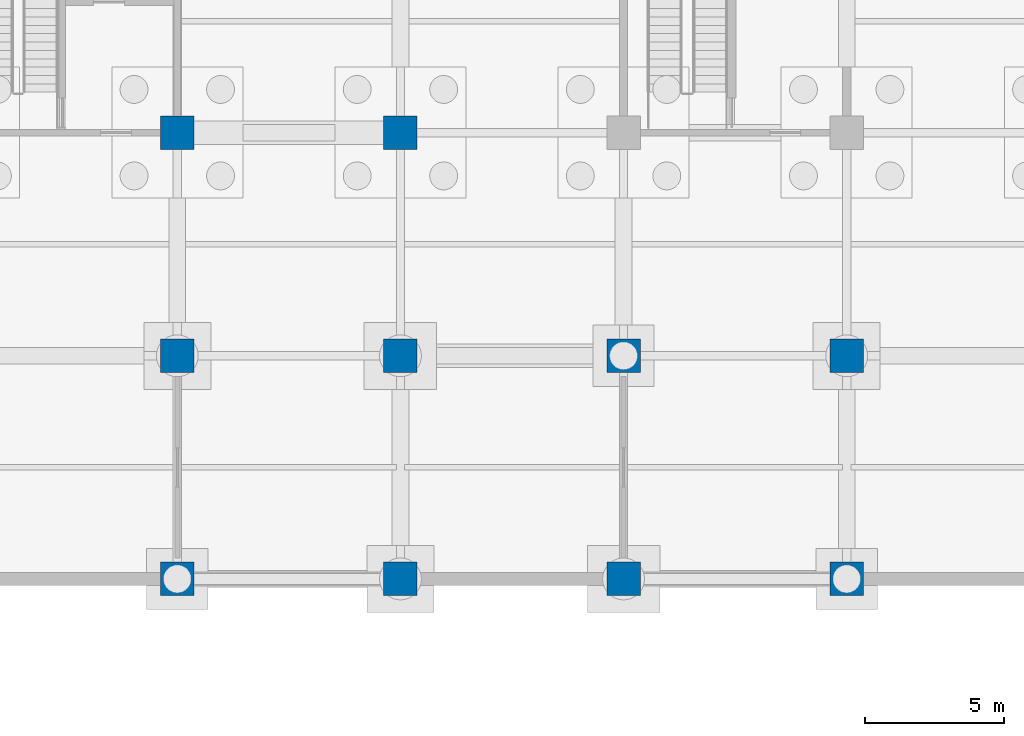
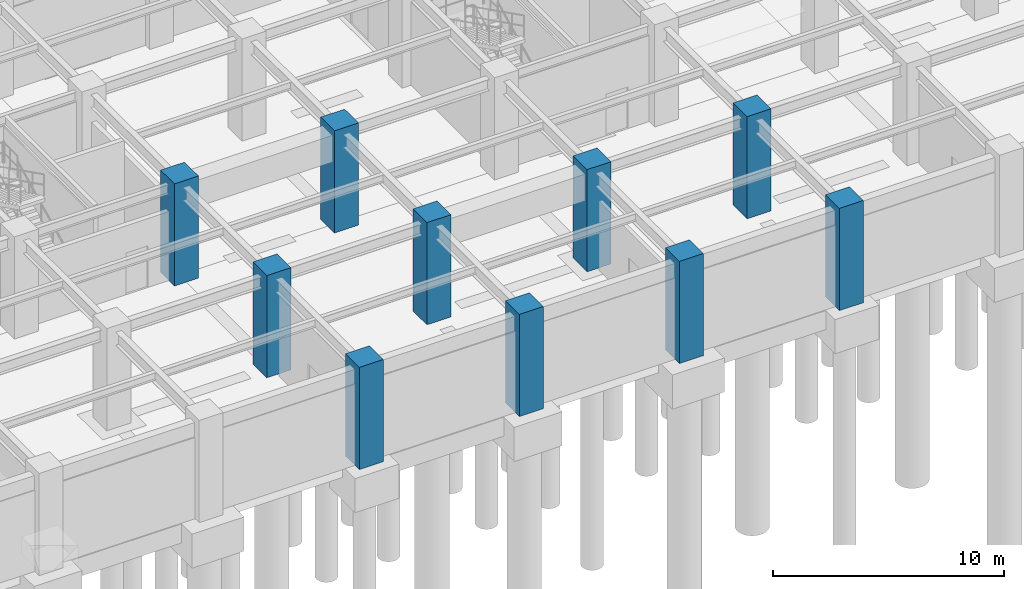
# One storey, part 25 of 97: 10 columns.
"""IFC4 building model written with IfcOpenShell, lengths in metres."""

from ifc_helpers import new_model, si_unit, direction, frame, origin, origin_2d, place, context, subcontext, project, spatial, rectangle, extrude, material, material_profile, profile_set, type_object, element, save


model = new_model("IFC4")

# Units and contexts
model_context = context("Model", 3, precision=1e-05, world=origin(), true_north=direction((0.0, 1.0)))
body_context = subcontext(model_context, "Body", "Model", "MODEL_VIEW")
ifc_project = project(units=[si_unit("LENGTHUNIT", "METRE"), si_unit("AREAUNIT", "SQUARE_METRE"), si_unit("VOLUMEUNIT", "CUBIC_METRE"), si_unit("PLANEANGLEUNIT", "RADIAN"), si_unit("MASSUNIT", "GRAM", prefix="KILO")], contexts=[model_context])

# Site, building, storey
site_placement = place(None, origin())
site = spatial("IfcSite", under=ifc_project, at=site_placement, CompositionType="ELEMENT")
building_placement = place(site_placement, origin())
building = spatial("IfcBuilding", under=site, at=building_placement, Name="Haebicheon Civic Stadium", CompositionType="ELEMENT")
storey_placement = place(building_placement, frame((0.0, 0.0, -5.39990234375)))
storey = spatial("IfcBuildingStorey", under=building, at=storey_placement, Name="B1", CompositionType="ELEMENT", Elevation=-5.39990234375)

# Columns
ifc_material = material(Name="Concrete C40/50", Category="concrete")
ifc_material_profile = material_profile(ifc_material, rectangle(XDim=1.199951171875, YDim=1.199951171875, at=origin_2d()), Name="RC-COL-1200x1200")
ifc_profile_set = profile_set([ifc_material_profile], Name="Concrete C40/50")
column_type = type_object("IfcColumnType", Name="COL-RC-1200", PredefinedType="COLUMN", material=ifc_profile_set)
for number, where, z_axis, x_axis, name in (
    (1, (96.0, 0.0, 0.0), (0.0, 0.0, 1.0), (1.0, 0.0, 0.0), "B1 column 13/A"),
    (2, (96.0, 8.0, 0.0), (0.0, 0.0, 1.0), (1.0, 0.0, 0.0), "B1 column 13/B"),
    (3, (96.0, 16.0, 0.0), (0.0, 0.0, 1.0), (1.0, 0.0, 0.0), "B1 column 13/C"),
    (4, (104.0, 0.0, 0.0), (0.0, 0.0, 1.0), (1.0, 0.0, 0.0), "B1 column 14/A"),
    (5, (104.0, 8.0, 0.0), (0.0, 0.0, 1.0), (1.0, 0.0, 0.0), "B1 column 14/B"),
    (6, (104.0, 16.0, 0.0), (0.0, 0.0, 1.0), (1.0, 0.0, 0.0), "B1 column 14/C"),
    (7, (112.0, 0.0, 0.0), (0.0, 0.0, 1.0), (1.0, 0.0, 0.0), "B1 column 15/A"),
    (8, (112.0, 8.0, 0.0), (0.0, 0.0, 1.0), (1.0, 0.0, 0.0), "B1 column 15/B"),
    (9, (120.0, 0.0, 0.0), (0.0, 0.0, 1.0), (1.0, 0.0, 0.0), "B1 column 16/A"),
    (10, (120.0, 8.0, 0.0), (0.0, 0.0, 1.0), (1.0, 0.0, 0.0), "B1 column 16/B"),
):
    element("IfcColumn", number, at=place(storey_placement, frame(where, z_axis=z_axis, x_axis=x_axis)), inside=storey, type_object=column_type, material=ifc_profile_set, Name=name, PredefinedType="COLUMN", context=body_context, shape_type="SweptSolid", body=[
        extrude(rectangle(XDim=1.199951171875, YDim=1.199951171875, at=origin_2d()), origin(), (0.0, 0.0, 1.0), 5.39990234375),
    ])

save(model, "model.ifc")
